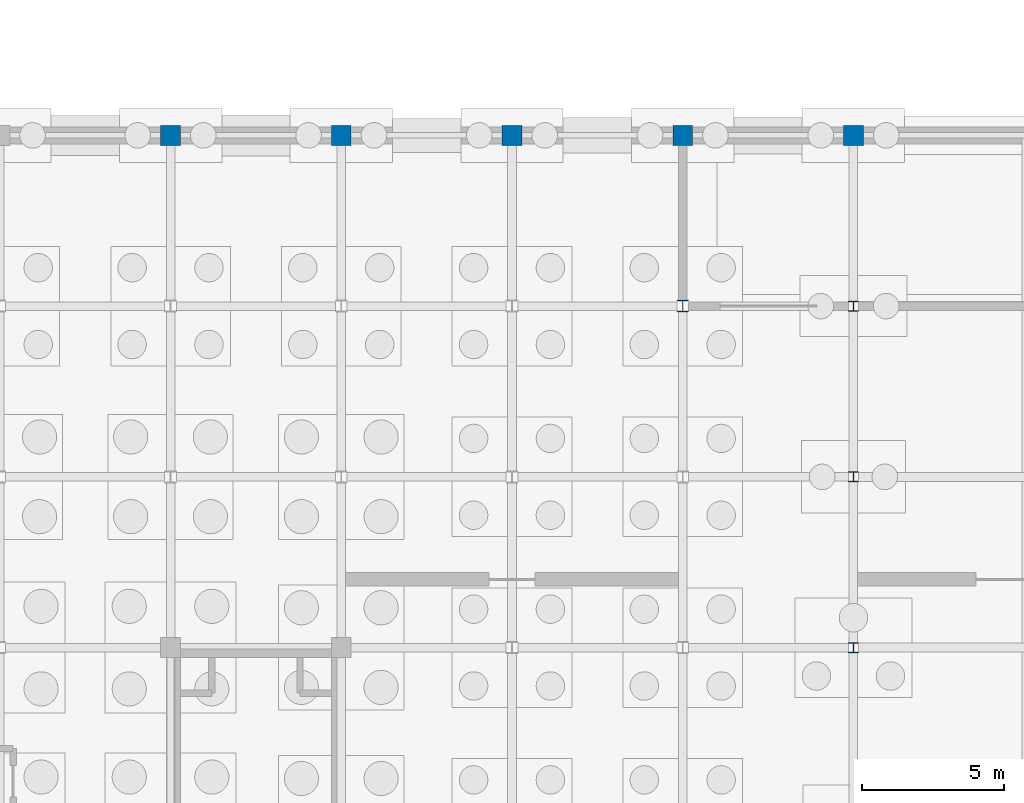
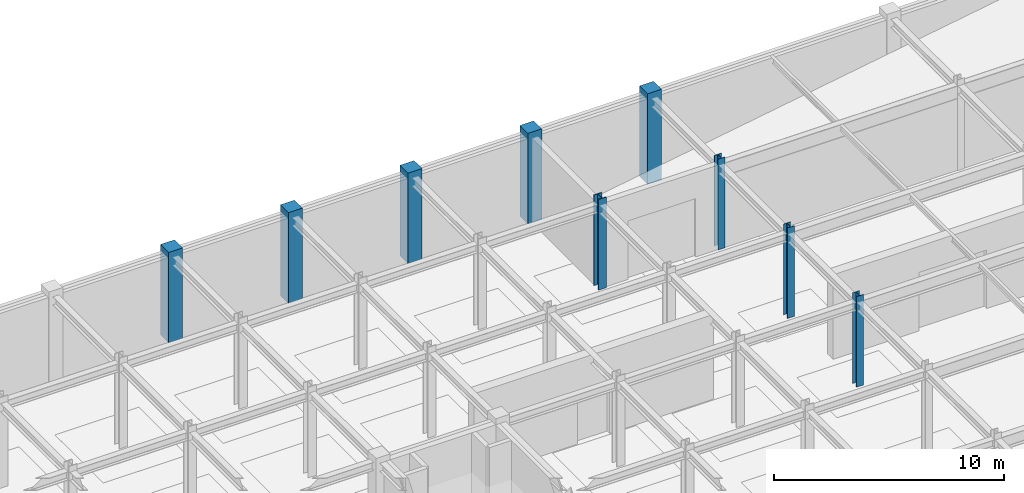
# One storey, part 28 of 69: 9 columns.
"""IFC4 building model written with IfcOpenShell, lengths in metres."""

from ifc_helpers import new_model, si_unit, direction, frame, origin, origin_2d, place, context, subcontext, project, spatial, rectangle, i_section, extrude, material, material_profile, profile_set, type_object, element, save


model = new_model("IFC4")

# Units and contexts
model_context = context("Model", 3, precision=1e-05, world=origin(), true_north=direction((0.0, 1.0)))
body_context = subcontext(model_context, "Body", "Model", "MODEL_VIEW")
ifc_project = project(units=[si_unit("LENGTHUNIT", "METRE"), si_unit("AREAUNIT", "SQUARE_METRE"), si_unit("VOLUMEUNIT", "CUBIC_METRE"), si_unit("PLANEANGLEUNIT", "RADIAN"), si_unit("MASSUNIT", "GRAM", prefix="KILO")], contexts=[model_context])

# Site, building, storey
site_placement = place(None, origin())
site = spatial("IfcSite", under=ifc_project, at=site_placement, CompositionType="ELEMENT")
building_placement = place(site_placement, origin())
building = spatial("IfcBuilding", under=site, at=building_placement, Name="Zlatovratsky Civic Hall", CompositionType="ELEMENT")
storey_placement = place(building_placement, frame((0.0, 0.0, -4.800048828125)))
storey = spatial("IfcBuildingStorey", under=building, at=storey_placement, Name="B1", CompositionType="ELEMENT", Elevation=-4.800048828125)

# Columns
ifc_material_1 = material(Name="Concrete C35/45 (B40)", Category="concrete")
ifc_material_profile_1 = material_profile(ifc_material_1, rectangle(XDim=0.699951171875, YDim=0.699951171875, at=origin_2d()), Name="RC 700x700")
ifc_profile_set_1 = profile_set([ifc_material_profile_1], Name="Concrete C35/45 (B40)")
column_type_1 = type_object("IfcColumnType", Name="Col_CorePier_RC700", PredefinedType="COLUMN", material=ifc_profile_set_1)
for number, where, z_axis, x_axis, name in (
    (1, (96.0, 114.0, 0.0), (0.0, 0.0, 1.0), (1.0, 0.0, 0.0), "CL-0407"),
    (2, (102.0, 114.0, 0.0), (0.0, 0.0, 1.0), (1.0, 0.0, 0.0), "CL-0408"),
    (3, (108.0, 114.0, 0.0), (0.0, 0.0, 1.0), (1.0, 0.0, 0.0), "CL-0409"),
    (4, (114.0, 114.0, 0.0), (0.0, 0.0, 1.0), (1.0, 0.0, 0.0), "CL-0410"),
    (5, (120.0, 114.0, 0.0), (0.0, 0.0, 1.0), (1.0, 0.0, 0.0), "CL-0411"),
):
    element("IfcColumn", number, at=place(storey_placement, frame(where, z_axis=z_axis, x_axis=x_axis)), inside=storey, type_object=column_type_1, Name=name, PredefinedType="COLUMN", context=body_context, shape_type="SweptSolid", body=[
        extrude(rectangle(XDim=0.699951171875, YDim=0.699951171875, at=origin_2d()), origin(), (0.0, 0.0, 1.0), 4.800048828125),
    ])
ifc_material_2 = material(Name="Steel S355", Category="steel")
ifc_material_profile_2 = material_profile(ifc_material_2, i_section(OverallWidth=0.35009765625, OverallDepth=0.35009765625, WebThickness=0.011962890625, FlangeThickness=0.01904296875, FilletRadius=0.02001953125, at=origin_2d()), Name="35K2")
ifc_profile_set_2 = profile_set([ifc_material_profile_2], Name="Steel S355")
column_type_2 = type_object("IfcColumnType", Name="Col_Steel_35K2", PredefinedType="COLUMN", material=ifc_profile_set_2)
for number, where, z_axis, x_axis, name in (
    (6, (120.0, 96.0, 0.0), (0.0, 0.0, 1.0), (1.0, 0.0, 0.0), "CL-0342"),
    (7, (120.0, 102.0, 0.0), (0.0, 0.0, 1.0), (1.0, 0.0, 0.0), "CL-0365"),
    (8, (120.0, 108.0, 0.0), (0.0, 0.0, 1.0), (1.0, 0.0, 0.0), "CL-0388"),
):
    element("IfcColumn", number, at=place(storey_placement, frame(where, z_axis=z_axis, x_axis=x_axis)), inside=storey, type_object=column_type_2, Name=name, PredefinedType="COLUMN", context=body_context, shape_type="SweptSolid", body=[
        extrude(i_section(OverallWidth=0.35009765625, OverallDepth=0.35009765625, WebThickness=0.011962890625, FlangeThickness=0.01904296875, FilletRadius=0.02001953125, at=origin_2d()), origin(), (0.0, 0.0, 1.0), 4.800048828125),
    ])
ifc_material_profile_3 = material_profile(ifc_material_2, i_section(OverallWidth=0.408935546875, OverallDepth=0.428955078125, WebThickness=0.02392578125, FlangeThickness=0.035400390625, FilletRadius=0.02197265625, at=origin_2d()), Name="40K5")
ifc_profile_set_3 = profile_set([ifc_material_profile_3], Name="Steel S355")
column_type_3 = type_object("IfcColumnType", Name="Col_Steel_40K5", PredefinedType="COLUMN", material=ifc_profile_set_3)
column_placement = place(storey_placement, frame((114.0, 108.0, 0.0), z_axis=(0.0, 0.0, 1.0), x_axis=(1.0, 0.0, 0.0)))
element("IfcColumn", 9, at=column_placement, inside=storey, type_object=column_type_3, Name="CL-0387", PredefinedType="COLUMN", context=body_context, shape_type="SweptSolid", body=[
    extrude(i_section(OverallWidth=0.408935546875, OverallDepth=0.428955078125, WebThickness=0.02392578125, FlangeThickness=0.035400390625, FilletRadius=0.02197265625, at=origin_2d()), origin(), (0.0, 0.0, 1.0), 4.800048828125),
])

save(model, "model.ifc")
